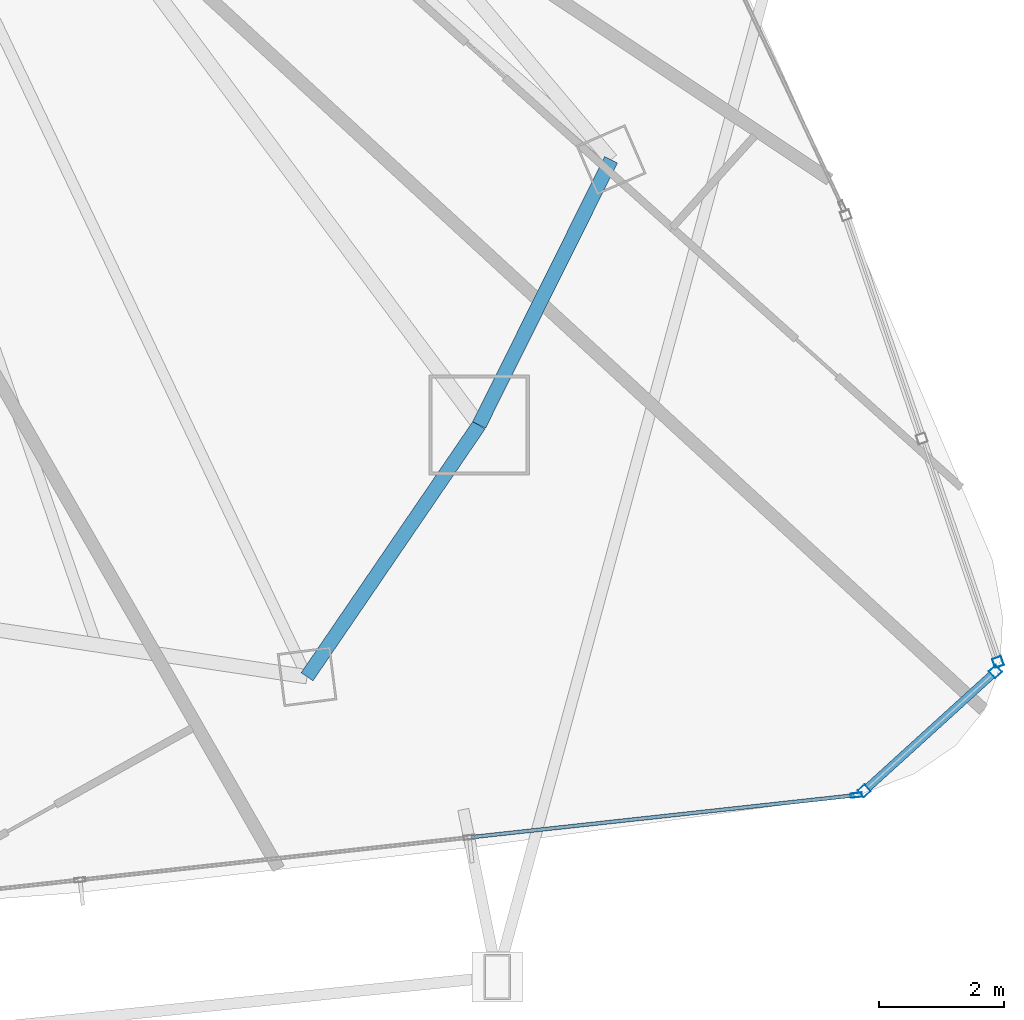
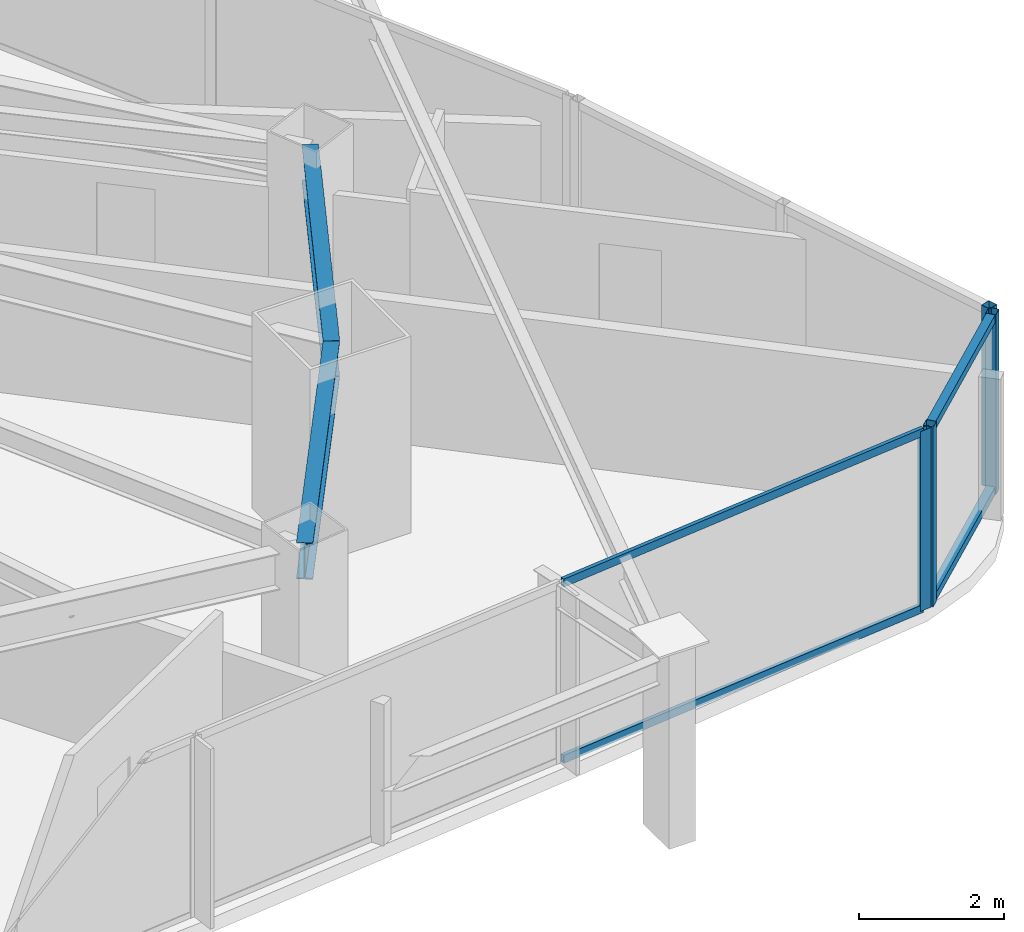
# One storey, part 13 of 33: 8 members, 2 beams, 3 elements without a shape of their own.
"""IFC4 building model written with IfcOpenShell, lengths in metres."""

from ifc_helpers import new_model, si_unit, direction, frame, origin, origin_2d, place, context, subcontext, project, spatial, hollow_rectangle, i_section, extrude, material, layer, layer_set, material_profile, profile_set, type_object, element, aggregate, save


model = new_model("IFC4")

# Units and contexts
model_context = context("Model", 3, precision=1e-05, world=origin(), true_north=direction((0.0, 1.0)))
body_context = subcontext(model_context, "Body", "Model", "MODEL_VIEW")
ifc_project = project(units=[si_unit("LENGTHUNIT", "METRE"), si_unit("AREAUNIT", "SQUARE_METRE"), si_unit("VOLUMEUNIT", "CUBIC_METRE"), si_unit("PLANEANGLEUNIT", "RADIAN"), si_unit("MASSUNIT", "GRAM", prefix="KILO")], contexts=[model_context])

# Site, building, storey
site_placement = place(None, origin())
site = spatial("IfcSite", under=ifc_project, at=site_placement, CompositionType="ELEMENT")
building_placement = place(site_placement, origin())
building = spatial("IfcBuilding", under=site, at=building_placement, Name="Orvanel Arch Residences", CompositionType="ELEMENT")
storey_placement = place(building_placement, frame((0.0, 0.0, 93.949951171875)))
storey = spatial("IfcBuildingStorey", under=building, at=storey_placement, Name="L26", CompositionType="ELEMENT", Elevation=93.949951171875)

# Curtain wall, members
ifc_material_1 = material(Name="Bronze-anodised aluminium AA6063-T6", Category="aluminium")
ifc_layer_1 = layer(ifc_material_1, 0.18994140625)
ifc_layer_set_1 = layer_set([ifc_layer_1], Name="Bronze-anodised aluminium AA6063-T6")
curtain_wall_type_1 = type_object("IfcCurtainWallType", Name="CW5-CRN-SYS", PredefinedType="NOTDEFINED", material=ifc_layer_set_1)
curtain_wall_1_placement = place(storey_placement, origin())
curtain_wall_1 = element("IfcCurtainWall", 1, at=curtain_wall_1_placement, inside=storey, type_object=curtain_wall_type_1, Name="L26 CW5-CRN-SYS Unitised Curtain Wall", PredefinedType="NOTDEFINED")
ifc_material_profile_1 = material_profile(ifc_material_1, hollow_rectangle(XDim=0.14990234375, YDim=0.14990234375, WallThickness=0.0048828125, at=origin_2d()), Name="ALU150x150x5")
ifc_profile_set_1 = profile_set([ifc_material_profile_1], Name="Bronze-anodised aluminium AA6063-T6")
member_type_1 = type_object("IfcMemberType", Name="MUL-150x150", PredefinedType="MULLION", material=ifc_profile_set_1)
member_1_placement = place(storey_placement, frame((57.939453125, 4.521484375, 0.0), z_axis=(0.0, 0.0, 1.0), x_axis=(-0.672354967353, 0.740228882087, 0.0)))
member_1 = element("IfcMember", 2, at=member_1_placement, type_object=member_type_1, Name="CW-S5 mullion 1", PredefinedType="MULLION", context=body_context, shape_type="SweptSolid", body=[
    extrude(hollow_rectangle(XDim=0.14990234375, YDim=0.14990234375, WallThickness=0.0048828125, at=origin_2d()), origin(), (0.0, 0.0, 1.0), 3.02001953125),
])
member_2_placement = place(storey_placement, frame((60.031494140625, 6.421630859375, 0.0), z_axis=(0.0, 0.0, 1.0), x_axis=(-0.672354967353, 0.740228882087, 0.0)))
member_2 = element("IfcMember", 3, at=member_2_placement, type_object=member_type_1, Name="CW-S5 mullion 2", PredefinedType="MULLION", context=body_context, shape_type="SweptSolid", body=[
    extrude(hollow_rectangle(XDim=0.14990234375, YDim=0.14990234375, WallThickness=0.0048828125, at=origin_2d()), origin(), (0.0, 0.0, 1.0), 3.02001953125),
])

# Curtain wall, member
curtain_wall_2_placement = place(storey_placement, origin())
curtain_wall_2 = element("IfcCurtainWall", 4, at=curtain_wall_2_placement, inside=storey, type_object=curtain_wall_type_1, Name="L26 CW5-CRN-SYS Unitised Curtain Wall", PredefinedType="NOTDEFINED")
member_3_placement = place(storey_placement, frame((60.07177734375, 6.574951171875, 0.0), z_axis=(0.0, 0.0, 1.0), x_axis=(-0.946590672949, -0.322437742651, 0.0)))
member_3 = element("IfcMember", 5, at=member_3_placement, type_object=member_type_1, Name="CW-S5 mullion 1", PredefinedType="MULLION", context=body_context, shape_type="SweptSolid", body=[
    extrude(hollow_rectangle(XDim=0.14990234375, YDim=0.14990234375, WallThickness=0.0048828125, at=origin_2d()), origin(), (0.0, 0.0, 1.0), 3.02001953125),
])
aggregate(curtain_wall_2, [member_3])

ifc_layer_2 = layer(ifc_material_1, 0.179931640625)
ifc_layer_set_2 = layer_set([ifc_layer_2], Name="Bronze-anodised aluminium AA6063-T6")
curtain_wall_type_2 = type_object("IfcCurtainWallType", Name="CW2-LOW-SYS", PredefinedType="NOTDEFINED", material=ifc_layer_set_2)
curtain_wall_3_placement = place(storey_placement, origin())
curtain_wall_3 = element("IfcCurtainWall", 6, at=curtain_wall_3_placement, inside=storey, type_object=curtain_wall_type_2, Name="L26 CW2-LOW-SYS Unitised Curtain Wall", PredefinedType="NOTDEFINED")
ifc_material_profile_2 = material_profile(ifc_material_1, hollow_rectangle(XDim=0.070068359375, YDim=0.179931640625, WallThickness=0.00439453125, at=origin_2d()), Name="ALU180x70x4.5")
ifc_profile_set_2 = profile_set([ifc_material_profile_2], Name="Bronze-anodised aluminium AA6063-T6")
member_type_2 = type_object("IfcMemberType", Name="MUL-180x70", PredefinedType="MULLION", material=ifc_profile_set_2)
member_4_placement = place(storey_placement, frame((57.814208984375, 4.4521484375, 0.0), z_axis=(0.0, 0.0, 1.0), x_axis=(-0.108531962964, 0.994092959946, 0.0)))
member_4 = element("IfcMember", 7, at=member_4_placement, type_object=member_type_2, Name="CW-S2 mullion 4", PredefinedType="MULLION", context=body_context, shape_type="SweptSolid", body=[
    extrude(hollow_rectangle(XDim=0.070068359375, YDim=0.179931640625, WallThickness=0.00439453125, at=origin_2d()), origin(), (0.0, 0.0, 1.0), 3.02001953125),
])

# Beams
ifc_material_2 = material(Name="Structural steel AS/NZS 3679.1 Grade 300 (300 MPa)", Category="steel")
ifc_material_profile_3 = material_profile(ifc_material_2, i_section(OverallWidth=0.22900390625, OverallDepth=0.612060546875, WebThickness=0.011962890625, FlangeThickness=0.01953125, at=origin_2d()), Name="610UB125")
ifc_profile_set_3 = profile_set([ifc_material_profile_3], Name="Structural steel AS/NZS 3679.1 Grade 300 (300 MPa)")
beam_type = type_object("IfcBeamType", Name="SP-610UB", PredefinedType="SPANDREL", material=ifc_profile_set_3)
beam_1_placement = place(storey_placement, frame((49.05908203125, 6.339111328125, 2.714111328125), z_axis=(0.564251579852, 0.825602903722, 0.0), x_axis=(-0.825602903722, 0.564251579852, 0.0)))
element("IfcBeam", 8, at=beam_1_placement, inside=storey, type_object=beam_type, Name="L26 Perimeter Spandrel Beam 10", PredefinedType="SPANDREL", context=body_context, shape_type="SweptSolid", body=[
    extrude(i_section(OverallWidth=0.22900390625, OverallDepth=0.612060546875, WebThickness=0.011962890625, FlangeThickness=0.01953125, at=origin_2d()), origin(), (0.0, 0.0, 1.0), 4.859375),
])
beam_2_placement = place(storey_placement, frame((51.801025390625, 10.35107421875, 2.714111328125), z_axis=(0.44543469453, 0.895314432425, 0.0), x_axis=(-0.895314432425, 0.44543469453, 0.0)))
element("IfcBeam", 9, at=beam_2_placement, inside=storey, type_object=beam_type, Name="L26 Perimeter Spandrel Beam 11", PredefinedType="SPANDREL", context=body_context, shape_type="SweptSolid", body=[
    extrude(i_section(OverallWidth=0.22900390625, OverallDepth=0.612060546875, WebThickness=0.011962890625, FlangeThickness=0.01953125, at=origin_2d()), origin(), (0.0, 0.0, 1.0), 4.723388671875),
])

# Member
ifc_material_profile_4 = material_profile(ifc_material_1, hollow_rectangle(XDim=0.1298828125, YDim=0.1298828125, WallThickness=0.00439453125, at=origin_2d()), Name="ALU130x130x4.5")
ifc_profile_set_4 = profile_set([ifc_material_profile_4], Name="Bronze-anodised aluminium AA6063-T6")
member_type_3 = type_object("IfcMemberType", Name="TRN-130x130", PredefinedType="USERDEFINED", material=ifc_profile_set_4)
member_5_placement = place(storey_placement, frame((57.9951171875, 4.57177734375, 0.06494140625), z_axis=(0.740228964533, 0.672354876584, 0.0), x_axis=(-0.672354876584, 0.740228964533, 0.0)))
member_5 = element("IfcMember", 10, at=member_5_placement, type_object=member_type_3, Name="CW-S5 transom 1.1", ObjectType="TRANSOM", PredefinedType="USERDEFINED", context=body_context, shape_type="SweptSolid", body=[
    extrude(hollow_rectangle(XDim=0.1298828125, YDim=0.1298828125, WallThickness=0.00439453125, at=origin_2d()), origin(), (0.0, 0.0, 1.0), 2.676025390625),
])

member_6_placement = place(storey_placement, frame((57.9951171875, 4.57177734375, 2.955078125), z_axis=(0.740228964533, 0.672354876584, 0.0), x_axis=(-0.672354876584, 0.740228964533, 0.0)))
member_6 = element("IfcMember", 11, at=member_6_placement, type_object=member_type_3, Name="CW-S5 transom 1.2", ObjectType="TRANSOM", PredefinedType="USERDEFINED", context=body_context, shape_type="SweptSolid", body=[
    extrude(hollow_rectangle(XDim=0.1298828125, YDim=0.1298828125, WallThickness=0.00439453125, at=origin_2d()), origin(), (0.0, 0.0, 1.0), 2.676025390625),
])

aggregate(curtain_wall_1, [member_1, member_2, member_5, member_6])

ifc_material_profile_5 = material_profile(ifc_material_1, hollow_rectangle(XDim=0.06005859375, YDim=0.135009765625, WallThickness=0.00390625, at=origin_2d()), Name="ALU135x60x4")
ifc_profile_set_5 = profile_set([ifc_material_profile_5], Name="Bronze-anodised aluminium AA6063-T6")
member_type_4 = type_object("IfcMemberType", Name="TRN-135x60", PredefinedType="USERDEFINED", material=ifc_profile_set_5)
member_7_placement = place(storey_placement, frame((51.6796875, 3.782470703125, 0.030029296875), z_axis=(0.994091564885, 0.108544740194, 0.0), x_axis=(-0.108544740194, 0.994091564885, 0.0)))
member_7 = element("IfcMember", 12, at=member_7_placement, type_object=member_type_4, Name="CW-S2 transom 3.1", ObjectType="TRANSOM", PredefinedType="USERDEFINED", context=body_context, shape_type="SweptSolid", body=[
    extrude(hollow_rectangle(XDim=0.06005859375, YDim=0.135009765625, WallThickness=0.00390625, at=origin_2d()), origin(), (0.0, 0.0, 1.0), 6.1357421875),
])

member_8_placement = place(storey_placement, frame((51.6796875, 3.782470703125, 2.989990234375), z_axis=(0.994091564885, 0.108544740194, 0.0), x_axis=(-0.108544740194, 0.994091564885, 0.0)))
member_8 = element("IfcMember", 13, at=member_8_placement, type_object=member_type_4, Name="CW-S2 transom 3.2", ObjectType="TRANSOM", PredefinedType="USERDEFINED", context=body_context, shape_type="SweptSolid", body=[
    extrude(hollow_rectangle(XDim=0.06005859375, YDim=0.135009765625, WallThickness=0.00390625, at=origin_2d()), origin(), (0.0, 0.0, 1.0), 6.1357421875),
])

aggregate(curtain_wall_3, [member_4, member_7, member_8])

save(model, "model.ifc")
